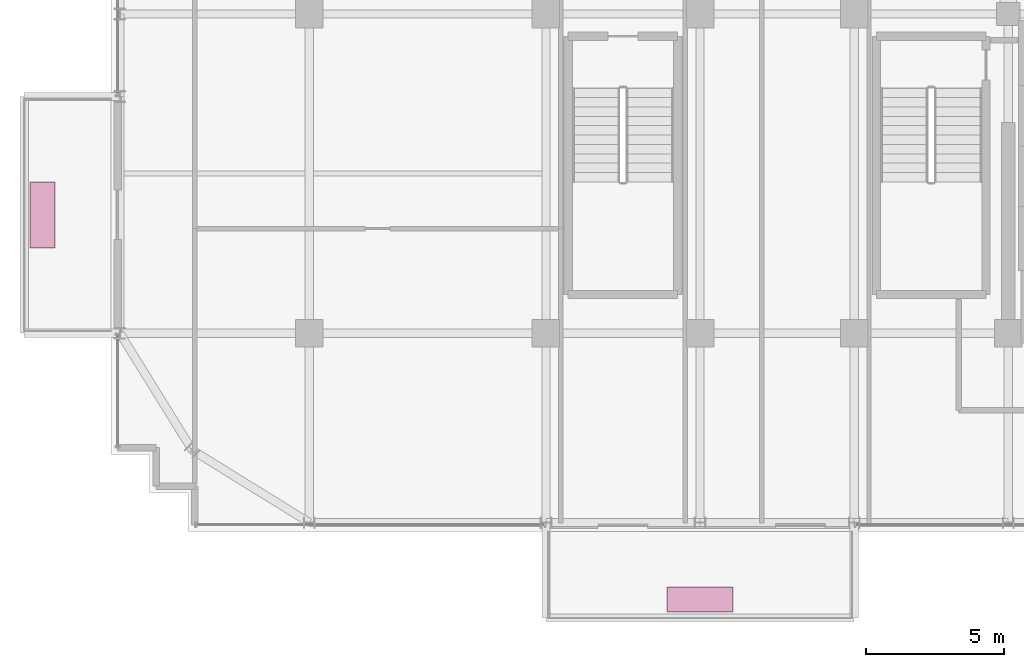
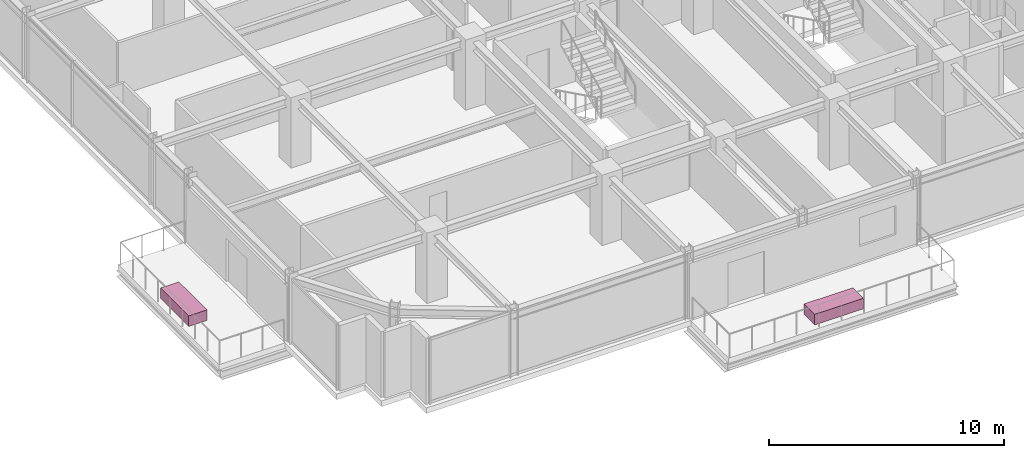
# One storey, part 32 of 32: 2 furnishings.
"""IFC4 building model written with IfcOpenShell, lengths in metres."""

import ifcopenshell
import ifcopenshell.guid

model = None  # the IFC model being written
_history = None  # IfcOwnerHistory: only IFC2X3 demands one
_inside = {}  # id of a spatial element -> (the spatial element, [elements in it])
_under = {}  # id of a project, library or spatial element -> (it, [spatial elements below it])
_declared = {}  # id of a project -> (the project, [libraries it declares])
_typed = {}  # id of a type object -> (the type object, [elements of that type])
_made_of = {}  # id of a material, layer set ... -> (it, [elements and type objects made of it])


def new_model(schema):
    """Start an empty IFC model of exactly this schema.

    Asked for "IFC4X3", IfcOpenShell would pick the latest addendum, in which some entities
    have other attributes; the version numbers below select the first issue.
    IFC2X3 requires an IfcOwnerHistory on every rooted entity: one is made here for all.
    """
    global model, _history
    if schema == "IFC4X3":
        model = ifcopenshell.file(schema_version=(4, 3, 0, 0))
    else:
        model = ifcopenshell.file(schema=schema)
    _inside.clear()
    _under.clear()
    _declared.clear()
    _typed.clear()
    _made_of.clear()
    _history = None
    if model.schema == "IFC2X3":
        org = make("IfcOrganization", Name="unknown")
        user = make(
            "IfcPersonAndOrganization",
            ThePerson=make("IfcPerson", FamilyName="unknown"),
            TheOrganization=org,
        )
        app = make(
            "IfcApplication",
            ApplicationDeveloper=org,
            Version="unknown",
            ApplicationFullName="unknown",
            ApplicationIdentifier="unknown",
        )
        _history = make(
            "IfcOwnerHistory",
            OwningUser=user,
            OwningApplication=app,
            ChangeAction="ADDED",
            CreationDate=0,
        )
    return model


def make(cls, **values):
    """One entity of the class cls with the attributes given. An attribute that is None is left unset."""
    return model.create_entity(
        cls, **{name: value for name, value in values.items() if value is not None}
    )


def rooted(cls, **values):
    """An entity with a GlobalId (a new one), such as an element, a storey or a relation."""
    return make(cls, GlobalId=ifcopenshell.guid.new(), OwnerHistory=_history, **values)


def si_unit(unit_type, name, prefix=None):
    """IfcSIUnit, for example si_unit("LENGTHUNIT", "METRE", prefix="MILLI")."""
    return make("IfcSIUnit", UnitType=unit_type, Prefix=prefix, Name=name)


def assignment(units):
    """IfcUnitAssignment: the units of a project."""
    return None if units is None else make("IfcUnitAssignment", Units=units)


def point(xyz):
    """IfcCartesianPoint."""
    return None if xyz is None else make("IfcCartesianPoint", Coordinates=xyz)


def direction(xyz):
    """IfcDirection."""
    return None if xyz is None else make("IfcDirection", DirectionRatios=xyz)


def frame(location, z_axis=None, x_axis=None):
    """IfcAxis2Placement3D, a coordinate frame: its origin and axes. An axis left out is left unset."""
    return make(
        "IfcAxis2Placement3D",
        Location=point(location),
        Axis=direction(z_axis),
        RefDirection=direction(x_axis),
    )


def frame_2d(location, x_axis=None):
    """IfcAxis2Placement2D, a coordinate frame in the plane: its origin and x axis."""
    return make(
        "IfcAxis2Placement2D", Location=point(location), RefDirection=direction(x_axis)
    )


def origin():
    """The frame at (0, 0, 0) with its axes left unset."""
    return frame((0.0, 0.0, 0.0))


def origin_2d():
    """The frame at (0, 0) in the plane with its x axis left unset."""
    return frame_2d((0.0, 0.0))


def place(relative_to, where):
    """IfcLocalPlacement: puts the frame where relative to a parent placement (None: the world)."""
    return make(
        "IfcLocalPlacement", PlacementRelTo=relative_to, RelativePlacement=where
    )


def context(
    kind, dimensions, precision=None, world=None, true_north=None, identifier=None
):
    """IfcGeometricRepresentationContext, for example the 3D "Model" context."""
    return make(
        "IfcGeometricRepresentationContext",
        ContextIdentifier=identifier,
        ContextType=kind,
        CoordinateSpaceDimension=dimensions,
        Precision=precision,
        WorldCoordinateSystem=world,
        TrueNorth=true_north,
    )


def subcontext(parent, identifier, kind, view, scale=None):
    """IfcGeometricRepresentationSubContext, for example "Body" below "Model"."""
    return make(
        "IfcGeometricRepresentationSubContext",
        ContextIdentifier=identifier,
        ContextType=kind,
        ParentContext=parent,
        TargetScale=scale,
        TargetView=view,
    )


def project(units=None, contexts=None):
    """IfcProject with its units and contexts."""
    return rooted(
        "IfcProject",
        Name="project",
        RepresentationContexts=contexts,
        UnitsInContext=assignment(units),
    )


def spatial(cls, under=None, at=None, **own):
    """A site, building, storey or space (cls), placed at a placement, below another one or the project."""
    s = rooted(cls, ObjectPlacement=at, **own)
    if under is not None:
        _under.setdefault(under.id(), (under, []))[1].append(s)
    return s


def profile(cls, at=None, kind="AREA", **sizes):
    """A parametric profile (cls). Its sizes go by their IFC names, for example OverallWidth=200.0."""
    return make(cls, ProfileType=kind, Position=at, **sizes)


def rectangle(**sizes):
    """IfcRectangleProfileDef."""
    return profile("IfcRectangleProfileDef", **sizes)


def extrude(swept, where, along, depth):
    """IfcExtrudedAreaSolid: the profile swept, set in the frame where, extruded along a direction by depth."""
    return make(
        "IfcExtrudedAreaSolid",
        SweptArea=swept,
        Position=where,
        ExtrudedDirection=direction(along),
        Depth=depth,
    )


def shape(context_of_items, identifier, shape_type, items):
    """IfcShapeRepresentation: the items that make up one representation, for example the "Body"."""
    return make(
        "IfcShapeRepresentation",
        ContextOfItems=context_of_items,
        RepresentationIdentifier=identifier,
        RepresentationType=shape_type,
        Items=items,
    )


def source(mapping_origin, context_of_items, identifier, shape_type, items):
    """IfcRepresentationMap: a shape defined once, which mapped items show again and again."""
    return make(
        "IfcRepresentationMap",
        MappingOrigin=mapping_origin,
        MappedRepresentation=shape(context_of_items, identifier, shape_type, items),
    )


def transform(
    local_origin,
    x_axis=None,
    y_axis=None,
    z_axis=None,
    scale=None,
    scale2=None,
    scale3=None,
    uniform=True,
):
    """IfcCartesianTransformationOperator3D, or its non-uniform kind. x_axis, y_axis, z_axis: its Axis1, 2, 3."""
    if uniform:
        return make(
            "IfcCartesianTransformationOperator3D",
            Axis1=direction(x_axis),
            Axis2=direction(y_axis),
            LocalOrigin=point(local_origin),
            Scale=scale,
            Axis3=direction(z_axis),
        )
    return make(
        "IfcCartesianTransformationOperator3DnonUniform",
        Axis1=direction(x_axis),
        Axis2=direction(y_axis),
        LocalOrigin=point(local_origin),
        Scale=scale,
        Axis3=direction(z_axis),
        Scale2=scale2,
        Scale3=scale3,
    )


def mapped(mapping_source, mapping_target):
    """IfcMappedItem: shows the shape of a source again, moved by a transform."""
    return make(
        "IfcMappedItem", MappingSource=mapping_source, MappingTarget=mapping_target
    )


def material(Name=None, Category=None):
    """IfcMaterial."""
    return make("IfcMaterial", Name=Name, Category=Category)


def made_of(thing, what):
    """Note that an element or type object is made of a material, layer set ...; save() writes the relation."""
    if what is not None:
        _made_of.setdefault(what.id(), (what, []))[1].append(thing)
    return thing


def type_object(cls, material=None, **own):
    """A type object (cls), such as IfcWallType, which elements share."""
    return made_of(rooted(cls, **own), material)


def element(
    cls,
    number,
    at=None,
    inside=None,
    cuts=None,
    type_object=None,
    material=None,
    context=None,
    identifier="Body",
    shape_type=None,
    held_by="IfcProductDefinitionShape",
    body=None,
    shapes=None,
    **own,
):
    """One element of the class cls, such as IfcWall. Its Tag is "e" and its number.

    at: its placement. inside: the storey or other place that contains it. cuts: it is an
    opening in that element (IfcRelVoidsElement). A single representation is given by context,
    identifier, shape_type and body (its items); several are given by shapes. held_by: the class
    of the entity that holds the representations. save() writes the other relations.
    """
    e = rooted(cls, Tag="e%d" % number, ObjectPlacement=at, **own)
    if body is not None:
        shapes = [shape(context, identifier, shape_type, body)]
    if shapes is not None:
        e.Representation = make(held_by, Representations=shapes)
    if inside is not None:
        _inside.setdefault(inside.id(), (inside, []))[1].append(e)
    if cuts is not None:
        rooted(
            "IfcRelVoidsElement", RelatingBuildingElement=cuts, RelatedOpeningElement=e
        )
    if type_object is not None:
        _typed.setdefault(type_object.id(), (type_object, []))[1].append(e)
    return made_of(e, material)


def aggregate(whole, parts):
    """IfcRelAggregates: a whole, such as a stair, and the parts it consists of."""
    return rooted("IfcRelAggregates", RelatingObject=whole, RelatedObjects=parts)


def save(model, path):
    """Write the relations noted so far, then the file.

    IfcRelAggregates (storeys below a building ...), IfcRelContainedInSpatialStructure (elements
    in a storey), IfcRelDefinesByType, IfcRelAssociatesMaterial and IfcRelDeclares: one each for
    every whole, place, type object, material and project.
    """
    for whole, parts in _under.values():
        aggregate(whole, parts)
    for where, things in _inside.values():
        rooted(
            "IfcRelContainedInSpatialStructure",
            RelatedElements=things,
            RelatingStructure=where,
        )
    for kind, things in _typed.values():
        rooted("IfcRelDefinesByType", RelatedObjects=things, RelatingType=kind)
    for what, things in _made_of.values():
        rooted("IfcRelAssociatesMaterial", RelatedObjects=things, RelatingMaterial=what)
    for by, libraries in _declared.values():
        rooted("IfcRelDeclares", RelatingContext=by, RelatedDefinitions=libraries)
    model.write(path)


model = new_model("IFC4")

# Units and contexts
model_context = context("Model", 3, precision=1e-05, world=origin(), true_north=direction((0.0, 1.0)))
body_context = subcontext(model_context, "Body", "Model", "MODEL_VIEW")
ifc_project = project(units=[si_unit("LENGTHUNIT", "METRE"), si_unit("AREAUNIT", "SQUARE_METRE"), si_unit("VOLUMEUNIT", "CUBIC_METRE"), si_unit("PLANEANGLEUNIT", "RADIAN"), si_unit("MASSUNIT", "GRAM", prefix="KILO")], contexts=[model_context])

# Site, building, storey
site_placement = place(None, origin())
site = spatial("IfcSite", under=ifc_project, at=site_placement, CompositionType="ELEMENT")
building_placement = place(site_placement, origin())
building = spatial("IfcBuilding", under=site, at=building_placement, Name="Nahalor Promenade Grand Hotel", CompositionType="ELEMENT")
storey_placement = place(building_placement, frame((0.0, 0.0, 230.800048828125)))
storey = spatial("IfcBuildingStorey", under=building, at=storey_placement, Name="L59", CompositionType="ELEMENT", Elevation=230.800048828125)

# Furnishings
ifc_material = material(Name="Vegetated Volcanic-Lapilli Tree Planter", Category="earth")
furnishing_element_type = type_object("IfcFurnishingElementType", Name="Planter-VerticalForest-Box", material=ifc_material)
shared_shape = source(origin(), body_context, "Body", "SweptSolid", [
    extrude(rectangle(XDim=2.39990234375, YDim=0.89990234375, at=origin_2d()), origin(), (0.0, 0.0, 1.0), 0.550048828125),
])
for number, where, z_axis, x_axis, name in (
    (1, (-2.800048828125, -26.679931640625, 0.0), (0.0, 0.0, 1.0), (1.0, 0.0, 0.0), "L59 Balcony Structural Tree Planter 1"),
    (2, (-26.68994140625, -12.699951171875, 0.0), (0.0, 0.0, 1.0), (0.0, 1.0, 0.0), "L59 Balcony Structural Tree Planter 2"),
):
    element("IfcFurnishingElement", number, at=place(storey_placement, frame(where, z_axis=z_axis, x_axis=x_axis)), inside=storey, type_object=furnishing_element_type, Name=name, ObjectType="PLANTER", context=body_context, shape_type="MappedRepresentation", body=[
        mapped(shared_shape, transform((0.0, 0.0, 0.0), scale=1.0)),
    ])

save(model, "model.ifc")
